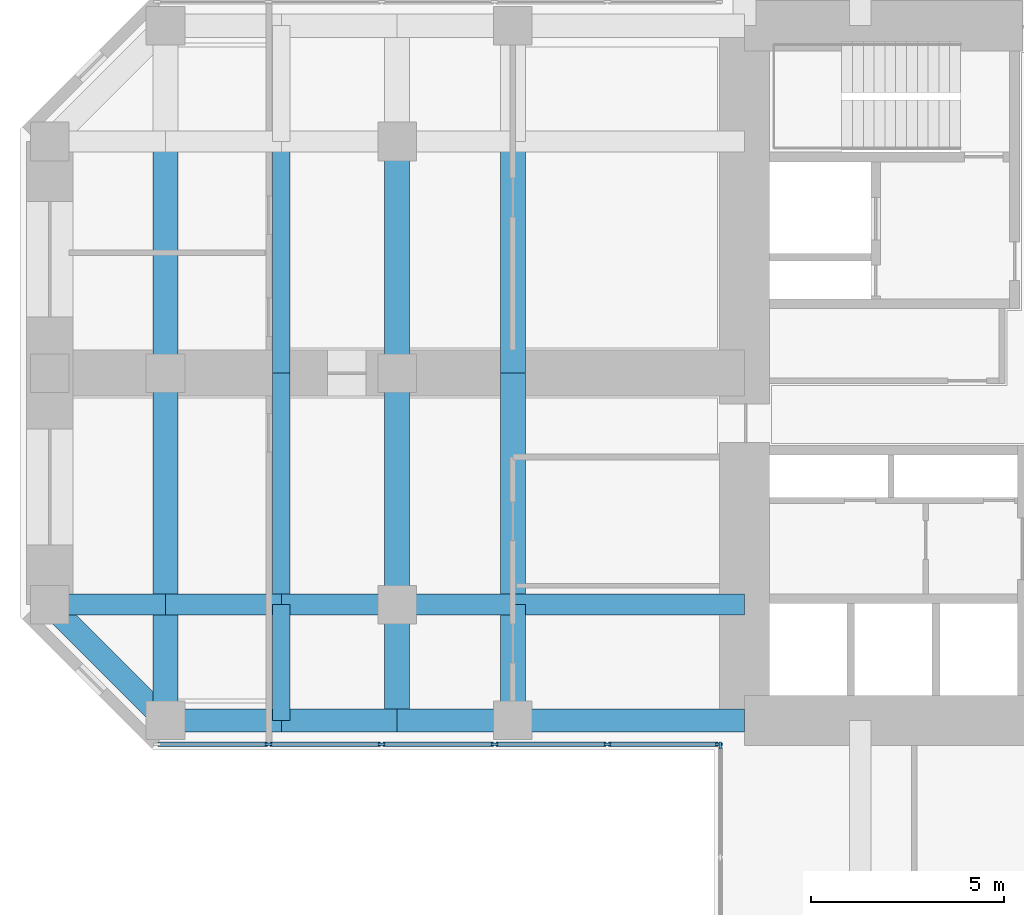
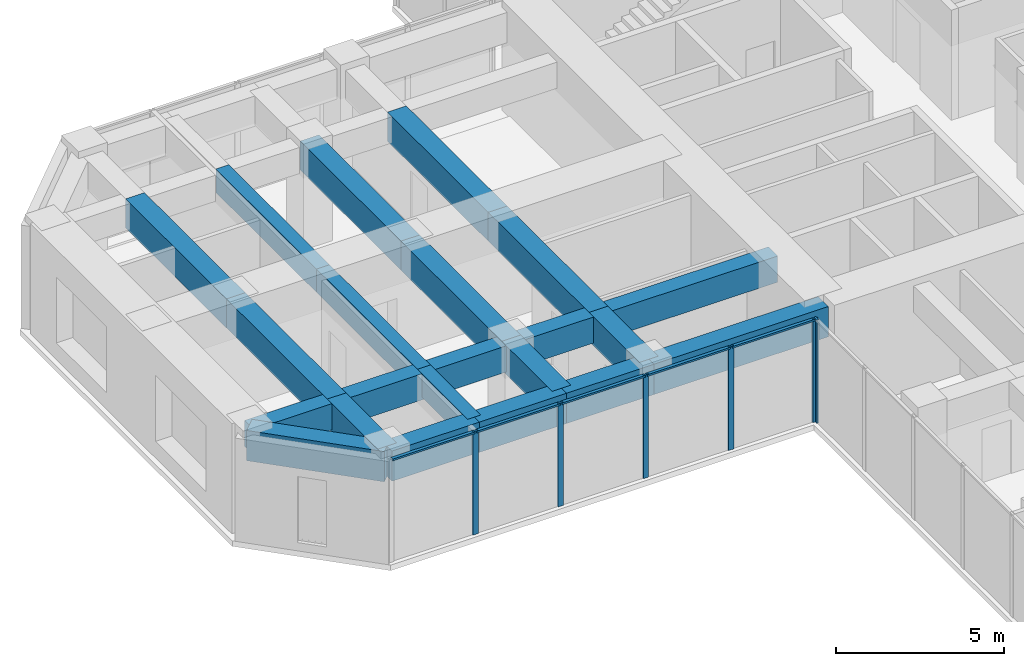
# One storey, part 3 of 13: 22 beams, 11 members, 2 elements without a shape of their own.
"""IFC4 building model written with IfcOpenShell, lengths in metres."""

from ifc_helpers import new_model, si_unit, direction, frame, origin, origin_2d, place, context, subcontext, project, spatial, rectangle, extrude, material, material_profile, profile_set, type_object, element, aggregate, save


model = new_model("IFC4")

# Units and contexts
model_context = context("Model", 3, precision=1e-05, world=origin(), true_north=direction((0.0, 1.0)))
body_context = subcontext(model_context, "Body", "Model", "MODEL_VIEW")
ifc_project = project(units=[si_unit("LENGTHUNIT", "METRE"), si_unit("AREAUNIT", "SQUARE_METRE"), si_unit("VOLUMEUNIT", "CUBIC_METRE"), si_unit("PLANEANGLEUNIT", "RADIAN"), si_unit("MASSUNIT", "GRAM", prefix="KILO")], contexts=[model_context])

# Site, building, storey
site_placement = place(None, origin())
site = spatial("IfcSite", under=ifc_project, at=site_placement, CompositionType="ELEMENT")
building_placement = place(site_placement, origin())
building = spatial("IfcBuilding", under=site, at=building_placement, Name="Torre Cruceta", CompositionType="ELEMENT")
storey_placement = place(building_placement, frame((0.0, 0.0, 160.5)))
storey = spatial("IfcBuildingStorey", under=building, at=storey_placement, Name="L39", CompositionType="ELEMENT", Elevation=160.5)

# Beams
ifc_material_1 = material(Name="Concrete G60 (fck 60 MPa)", Category="concrete")
ifc_material_profile_1 = material_profile(ifc_material_1, rectangle(XDim=0.550048828125, YDim=0.949951171875, at=origin_2d()), Name="RC 550X950")
ifc_profile_set_1 = profile_set([ifc_material_profile_1], Name="Concrete G60 (fck 60 MPa)")
beam_type_1 = type_object("IfcBeamType", Name="COLUMN LINE BEAM RC 550X950", PredefinedType="BEAM", material=ifc_profile_set_1)
beam_1_placement = place(storey_placement, frame((-9.0, -6.0, 3.27490234375), z_axis=(-1.0, 0.0, 0.0), x_axis=(0.0, -1.0, 0.0)))
element("IfcBeam", 1, at=beam_1_placement, inside=storey, type_object=beam_type_1, Name="LB3 L39 W col+ 1", PredefinedType="BEAM", context=body_context, shape_type="SweptSolid", body=[
    extrude(rectangle(XDim=0.550048828125, YDim=0.949951171875, at=origin_2d()), origin(), (0.0, 0.0, 1.0), 6.0),
])
for number, where, z_axis, x_axis, name in (
    (2, (-15.0, -6.0, 3.27490234375), (-1.0, 0.0, 0.0), (0.0, -1.0, 0.0), "LB3 L39 W col+ 2"),
    (3, (-18.0, -6.0, 3.27490234375), (-1.0, 0.0, 0.0), (0.0, -1.0, 0.0), "LB3 L39 W col+ 3"),
    (4, (-21.0, -6.0, 3.27490234375), (-1.0, 0.0, 0.0), (0.0, -1.0, 0.0), "LB3 L39 W col+ 4"),
    (5, (-24.0, -6.0, 3.27490234375), (-1.0, 0.0, 0.0), (0.0, -1.0, 0.0), "LB3 L39 W col+ 5"),
):
    element("IfcBeam", number, at=place(storey_placement, frame(where, z_axis=z_axis, x_axis=x_axis)), inside=storey, type_object=beam_type_1, Name=name, PredefinedType="BEAM", context=body_context, shape_type="SweptSolid", body=[
        extrude(rectangle(XDim=0.550048828125, YDim=0.949951171875, at=origin_2d()), origin(), (0.0, 0.0, 1.0), 3.0),
    ])
ifc_material_2 = material(Name="Concrete G60 (fck 60 MPa)", Category="concrete")
ifc_material_profile_2 = material_profile(ifc_material_2, rectangle(XDim=0.64990234375, YDim=1.050048828125, at=origin_2d()), Name="RC 650X1050")
ifc_profile_set_2 = profile_set([ifc_material_profile_2], Name="Concrete G60 (fck 60 MPa)")
beam_type_2 = type_object("IfcBeamType", Name="CROSS BEAM RC 650X1050", PredefinedType="BEAM", material=ifc_profile_set_2)
for number, where, z_axis, x_axis, name in (
    (6, (-15.0, 6.0, 3.22509765625), (0.0, -1.0, 0.0), (1.0, 0.0, 0.0), "GB3 L39 W cross15 2"),
    (7, (-15.0, 0.0, 3.22509765625), (0.0, -1.0, 0.0), (1.0, 0.0, 0.0), "GB3 L39 W cross15 3"),
):
    element("IfcBeam", number, at=place(storey_placement, frame(where, z_axis=z_axis, x_axis=x_axis)), inside=storey, type_object=beam_type_2, Name=name, PredefinedType="BEAM", context=body_context, shape_type="SweptSolid", body=[
        extrude(rectangle(XDim=0.64990234375, YDim=1.050048828125, at=origin_2d()), origin(), (0.0, 0.0, 1.0), 6.0),
    ])
beam_2_placement = place(storey_placement, frame((-15.0, -6.0, 3.22509765625), z_axis=(0.0, -1.0, 0.0), x_axis=(1.0, 0.0, 0.0)))
element("IfcBeam", 8, at=beam_2_placement, inside=storey, type_object=beam_type_2, Name="GB3 L39 W cross15 4", PredefinedType="BEAM", context=body_context, shape_type="SweptSolid", body=[
    extrude(rectangle(XDim=0.64990234375, YDim=1.050048828125, at=origin_2d()), origin(), (0.0, 0.0, 1.0), 3.0),
])
for number, where, z_axis, x_axis, name in (
    (9, (-18.0, 6.0, 3.22509765625), (0.0, -1.0, 0.0), (1.0, 0.0, 0.0), "GB3 L39 W cross18 2"),
    (10, (-18.0, 0.0, 3.22509765625), (0.0, -1.0, 0.0), (1.0, 0.0, 0.0), "GB3 L39 W cross18 3"),
):
    element("IfcBeam", number, at=place(storey_placement, frame(where, z_axis=z_axis, x_axis=x_axis)), inside=storey, type_object=beam_type_2, Name=name, PredefinedType="BEAM", context=body_context, shape_type="SweptSolid", body=[
        extrude(rectangle(XDim=0.64990234375, YDim=1.050048828125, at=origin_2d()), origin(), (0.0, 0.0, 1.0), 6.0),
    ])
beam_3_placement = place(storey_placement, frame((-18.0, -6.0, 3.22509765625), z_axis=(0.0, -1.0, 0.0), x_axis=(1.0, 0.0, 0.0)))
element("IfcBeam", 11, at=beam_3_placement, inside=storey, type_object=beam_type_2, Name="GB3 L39 W cross18 4", PredefinedType="BEAM", context=body_context, shape_type="SweptSolid", body=[
    extrude(rectangle(XDim=0.64990234375, YDim=1.050048828125, at=origin_2d()), origin(), (0.0, 0.0, 1.0), 3.0),
])
for number, where, z_axis, x_axis, name in (
    (12, (-24.0, 6.0, 3.22509765625), (0.0, -1.0, 0.0), (1.0, 0.0, 0.0), "GB3 L39 W cross24 2"),
    (13, (-24.0, 0.0, 3.22509765625), (0.0, -1.0, 0.0), (1.0, 0.0, 0.0), "GB3 L39 W cross24 3"),
):
    element("IfcBeam", number, at=place(storey_placement, frame(where, z_axis=z_axis, x_axis=x_axis)), inside=storey, type_object=beam_type_2, Name=name, PredefinedType="BEAM", context=body_context, shape_type="SweptSolid", body=[
        extrude(rectangle(XDim=0.64990234375, YDim=1.050048828125, at=origin_2d()), origin(), (0.0, 0.0, 1.0), 6.0),
    ])
beam_4_placement = place(storey_placement, frame((-24.0, -6.0, 3.22509765625), z_axis=(0.0, -1.0, 0.0), x_axis=(1.0, 0.0, 0.0)))
element("IfcBeam", 14, at=beam_4_placement, inside=storey, type_object=beam_type_2, Name="GB3 L39 W cross24 4", PredefinedType="BEAM", context=body_context, shape_type="SweptSolid", body=[
    extrude(rectangle(XDim=0.64990234375, YDim=1.050048828125, at=origin_2d()), origin(), (0.0, 0.0, 1.0), 3.0),
])

# Curtain wall, members
ifc_material_3 = material(Name="Aluminium unitised curtain wall", Category="aluminium")
curtain_wall_type = type_object("IfcCurtainWallType", Name="CURTAIN WALL CW-B OFFICE MID RISE", PredefinedType="USERDEFINED", material=ifc_material_3)
curtain_wall_1_placement = place(storey_placement, origin())
curtain_wall_1 = element("IfcCurtainWall", 15, at=curtain_wall_1_placement, inside=storey, type_object=curtain_wall_type, Name="CW-B L39 W side 14", ObjectType="UNITISED", PredefinedType="USERDEFINED")
ifc_material_4 = material(Name="Aluminium mullion", Category="aluminium")
ifc_material_profile_3 = material_profile(ifc_material_4, rectangle(XDim=0.06494140625, YDim=0.179931640625, at=origin_2d()), Name="AL 65X180")
ifc_profile_set_3 = profile_set([ifc_material_profile_3], Name="Aluminium mullion")
member_type_1 = type_object("IfcMemberType", Name="CW-B MULLION 65X180", PredefinedType="MULLION", material=ifc_profile_set_3)
member_1_placement = place(storey_placement, frame((-21.329345703125, -9.6201171875, 0.0), z_axis=(0.0, 0.0, 1.0), x_axis=(0.0, 1.0, 0.0)))
member_1 = element("IfcMember", 16, at=member_1_placement, type_object=member_type_1, Name="CW-B mullion 2", PredefinedType="MULLION", context=body_context, shape_type="SweptSolid", body=[
    extrude(rectangle(XDim=0.06494140625, YDim=0.179931640625, at=origin_2d()), origin(), (0.0, 0.0, 1.0), 3.75),
])
member_2_placement = place(storey_placement, frame((-18.402099609375, -9.6201171875, 0.0), z_axis=(0.0, 0.0, 1.0), x_axis=(0.0, 1.0, 0.0)))
member_2 = element("IfcMember", 17, at=member_2_placement, type_object=member_type_1, Name="CW-B mullion 3", PredefinedType="MULLION", context=body_context, shape_type="SweptSolid", body=[
    extrude(rectangle(XDim=0.06494140625, YDim=0.179931640625, at=origin_2d()), origin(), (0.0, 0.0, 1.0), 3.75),
])
member_3_placement = place(storey_placement, frame((-15.474609375, -9.6201171875, 0.0), z_axis=(0.0, 0.0, 1.0), x_axis=(0.0, 1.0, 0.0)))
member_3 = element("IfcMember", 18, at=member_3_placement, type_object=member_type_1, Name="CW-B mullion 4", PredefinedType="MULLION", context=body_context, shape_type="SweptSolid", body=[
    extrude(rectangle(XDim=0.06494140625, YDim=0.179931640625, at=origin_2d()), origin(), (0.0, 0.0, 1.0), 3.75),
])
member_4_placement = place(storey_placement, frame((-12.54736328125, -9.6201171875, 0.0), z_axis=(0.0, 0.0, 1.0), x_axis=(0.0, 1.0, 0.0)))
member_4 = element("IfcMember", 19, at=member_4_placement, type_object=member_type_1, Name="CW-B mullion 5", PredefinedType="MULLION", context=body_context, shape_type="SweptSolid", body=[
    extrude(rectangle(XDim=0.06494140625, YDim=0.179931640625, at=origin_2d()), origin(), (0.0, 0.0, 1.0), 3.75),
])
member_5_placement = place(storey_placement, frame((-9.652587890625, -9.6201171875, 0.0), z_axis=(0.0, 0.0, 1.0), x_axis=(0.0, 1.0, 0.0)))
member_5 = element("IfcMember", 20, at=member_5_placement, type_object=member_type_1, Name="CW-B mullion 6", PredefinedType="MULLION", context=body_context, shape_type="SweptSolid", body=[
    extrude(rectangle(XDim=0.06494140625, YDim=0.179931640625, at=origin_2d()), origin(), (0.0, 0.0, 1.0), 3.75),
])

# Curtain wall, member
curtain_wall_2_placement = place(storey_placement, origin())
curtain_wall_2 = element("IfcCurtainWall", 21, at=curtain_wall_2_placement, inside=storey, type_object=curtain_wall_type, Name="CW-B L39 S side 15", ObjectType="UNITISED", PredefinedType="USERDEFINED")
member_6_placement = place(storey_placement, frame((-9.6201171875, -9.652587890625, 0.0), z_axis=(0.0, 0.0, 1.0), x_axis=(1.0, 0.0, 0.0)))
member_6 = element("IfcMember", 22, at=member_6_placement, type_object=member_type_1, Name="CW-B mullion 1", PredefinedType="MULLION", context=body_context, shape_type="SweptSolid", body=[
    extrude(rectangle(XDim=0.06494140625, YDim=0.179931640625, at=origin_2d()), origin(), (0.0, 0.0, 1.0), 3.75),
])
aggregate(curtain_wall_2, [member_6])

# Member
ifc_material_5 = material(Name="Aluminium transom", Category="aluminium")
ifc_material_profile_4 = material_profile(ifc_material_5, rectangle(XDim=0.110107421875, YDim=0.06494140625, at=origin_2d()), Name="AL 110X65")
ifc_profile_set_4 = profile_set([ifc_material_profile_4], Name="Aluminium transom")
member_type_2 = type_object("IfcMemberType", Name="CW-B TRANSOM 65X110", PredefinedType="USERDEFINED", material=ifc_profile_set_4)
member_7_placement = place(storey_placement, frame((-24.19189453125, -9.6201171875, 3.717529296875), z_axis=(1.0, 0.0, 0.0), x_axis=(0.0, 1.0, 0.0)))
member_7 = element("IfcMember", 23, at=member_7_placement, type_object=member_type_2, Name="CW-B transom 1", ObjectType="TRANSOM", PredefinedType="USERDEFINED", context=body_context, shape_type="SweptSolid", body=[
    extrude(rectangle(XDim=0.110107421875, YDim=0.06494140625, at=origin_2d()), origin(), (0.0, 0.0, 1.0), 2.829833984375),
])

member_8_placement = place(storey_placement, frame((-21.296875, -9.6201171875, 3.717529296875), z_axis=(1.0, 0.0, 0.0), x_axis=(0.0, 1.0, 0.0)))
member_8 = element("IfcMember", 24, at=member_8_placement, type_object=member_type_2, Name="CW-B transom 2", ObjectType="TRANSOM", PredefinedType="USERDEFINED", context=body_context, shape_type="SweptSolid", body=[
    extrude(rectangle(XDim=0.110107421875, YDim=0.06494140625, at=origin_2d()), origin(), (0.0, 0.0, 1.0), 2.8623046875),
])

member_9_placement = place(storey_placement, frame((-18.36962890625, -9.6201171875, 3.717529296875), z_axis=(1.0, 0.0, 0.0), x_axis=(0.0, 1.0, 0.0)))
member_9 = element("IfcMember", 25, at=member_9_placement, type_object=member_type_2, Name="CW-B transom 3", ObjectType="TRANSOM", PredefinedType="USERDEFINED", context=body_context, shape_type="SweptSolid", body=[
    extrude(rectangle(XDim=0.110107421875, YDim=0.06494140625, at=origin_2d()), origin(), (0.0, 0.0, 1.0), 2.8623046875),
])

member_10_placement = place(storey_placement, frame((-15.442138671875, -9.6201171875, 3.717529296875), z_axis=(1.0, 0.0, 0.0), x_axis=(0.0, 1.0, 0.0)))
member_10 = element("IfcMember", 26, at=member_10_placement, type_object=member_type_2, Name="CW-B transom 4", ObjectType="TRANSOM", PredefinedType="USERDEFINED", context=body_context, shape_type="SweptSolid", body=[
    extrude(rectangle(XDim=0.110107421875, YDim=0.06494140625, at=origin_2d()), origin(), (0.0, 0.0, 1.0), 2.8623046875),
])

member_11_placement = place(storey_placement, frame((-12.514892578125, -9.6201171875, 3.717529296875), z_axis=(1.0, 0.0, 0.0), x_axis=(0.0, 1.0, 0.0)))
member_11 = element("IfcMember", 27, at=member_11_placement, type_object=member_type_2, Name="CW-B transom 5", ObjectType="TRANSOM", PredefinedType="USERDEFINED", context=body_context, shape_type="SweptSolid", body=[
    extrude(rectangle(XDim=0.110107421875, YDim=0.06494140625, at=origin_2d()), origin(), (0.0, 0.0, 1.0), 2.829833984375),
])

aggregate(curtain_wall_1, [member_1, member_2, member_3, member_4, member_5, member_7, member_8, member_9, member_10, member_11])

# Beams
ifc_material_6 = material(Name="Concrete G60 (fck 60 MPa)", Category="concrete")
ifc_material_profile_5 = material_profile(ifc_material_6, rectangle(XDim=0.449951171875, YDim=0.85009765625, at=origin_2d()), Name="RC 450X850")
ifc_profile_set_5 = profile_set([ifc_material_profile_5], Name="Concrete G60 (fck 60 MPa)")
beam_type_3 = type_object("IfcBeamType", Name="SECONDARY BEAM RC 450X850", PredefinedType="JOIST", material=ifc_profile_set_5)
for number, where, z_axis, x_axis, name in (
    (28, (-21.0, 6.0, 3.324951171875), (0.0, -1.0, 0.0), (1.0, 0.0, 0.0), "JB4 L39 W sec21 2"),
    (29, (-21.0, 0.0, 3.324951171875), (0.0, -1.0, 0.0), (1.0, 0.0, 0.0), "JB4 L39 W sec21 3"),
):
    element("IfcBeam", number, at=place(storey_placement, frame(where, z_axis=z_axis, x_axis=x_axis)), inside=storey, type_object=beam_type_3, Name=name, PredefinedType="JOIST", context=body_context, shape_type="SweptSolid", body=[
        extrude(rectangle(XDim=0.449951171875, YDim=0.85009765625, at=origin_2d()), origin(), (0.0, 0.0, 1.0), 6.0),
    ])
beam_5_placement = place(storey_placement, frame((-21.0, -6.0, 3.324951171875), z_axis=(0.0, -1.0, 0.0), x_axis=(1.0, 0.0, 0.0)))
element("IfcBeam", 30, at=beam_5_placement, inside=storey, type_object=beam_type_3, Name="JB4 L39 W sec21 4", PredefinedType="JOIST", context=body_context, shape_type="SweptSolid", body=[
    extrude(rectangle(XDim=0.449951171875, YDim=0.85009765625, at=origin_2d()), origin(), (0.0, 0.0, 1.0), 3.0),
])
ifc_material_7 = material(Name="Concrete G60 (fck 60 MPa)", Category="concrete")
ifc_material_profile_6 = material_profile(ifc_material_7, rectangle(XDim=0.60009765625, YDim=1.10009765625, at=origin_2d()), Name="RC 600X1100")
ifc_profile_set_6 = profile_set([ifc_material_profile_6], Name="Concrete G60 (fck 60 MPa)")
beam_type_4 = type_object("IfcBeamType", Name="SPANDREL BEAM RC 600X1100", PredefinedType="SPANDREL", material=ifc_profile_set_6)
beam_6_placement = place(storey_placement, frame((-9.0, -9.0, 3.199951171875), z_axis=(-1.0, 0.0, 0.0), x_axis=(0.0, -1.0, 0.0)))
element("IfcBeam", 31, at=beam_6_placement, inside=storey, type_object=beam_type_4, Name="SB2 L39 W side+ 1", PredefinedType="SPANDREL", context=body_context, shape_type="SweptSolid", body=[
    extrude(rectangle(XDim=0.60009765625, YDim=1.10009765625, at=origin_2d()), origin(), (0.0, 0.0, 1.0), 6.0),
])
for number, where, z_axis, x_axis, name in (
    (32, (-15.0, -9.0, 3.199951171875), (-1.0, 0.0, 0.0), (0.0, -1.0, 0.0), "SB2 L39 W side+ 2"),
    (33, (-18.0, -9.0, 3.199951171875), (-1.0, 0.0, 0.0), (0.0, -1.0, 0.0), "SB2 L39 W side+ 3"),
    (34, (-21.0, -9.0, 3.199951171875), (-1.0, 0.0, 0.0), (0.0, -1.0, 0.0), "SB2 L39 W side+ 4"),
):
    element("IfcBeam", number, at=place(storey_placement, frame(where, z_axis=z_axis, x_axis=x_axis)), inside=storey, type_object=beam_type_4, Name=name, PredefinedType="SPANDREL", context=body_context, shape_type="SweptSolid", body=[
        extrude(rectangle(XDim=0.60009765625, YDim=1.10009765625, at=origin_2d()), origin(), (0.0, 0.0, 1.0), 3.0),
    ])
beam_7_placement = place(storey_placement, frame((-24.0, -9.0, 3.199951171875), z_axis=(-0.707106781187, 0.707106781187, 0.0), x_axis=(-0.707106781187, -0.707106781187, 0.0)))
element("IfcBeam", 35, at=beam_7_placement, inside=storey, type_object=beam_type_4, Name="SB2 L39 W side+ 5", PredefinedType="SPANDREL", context=body_context, shape_type="SweptSolid", body=[
    extrude(rectangle(XDim=0.60009765625, YDim=1.10009765625, at=origin_2d()), origin(), (0.0, 0.0, 1.0), 4.24267578125),
])

save(model, "model.ifc")
